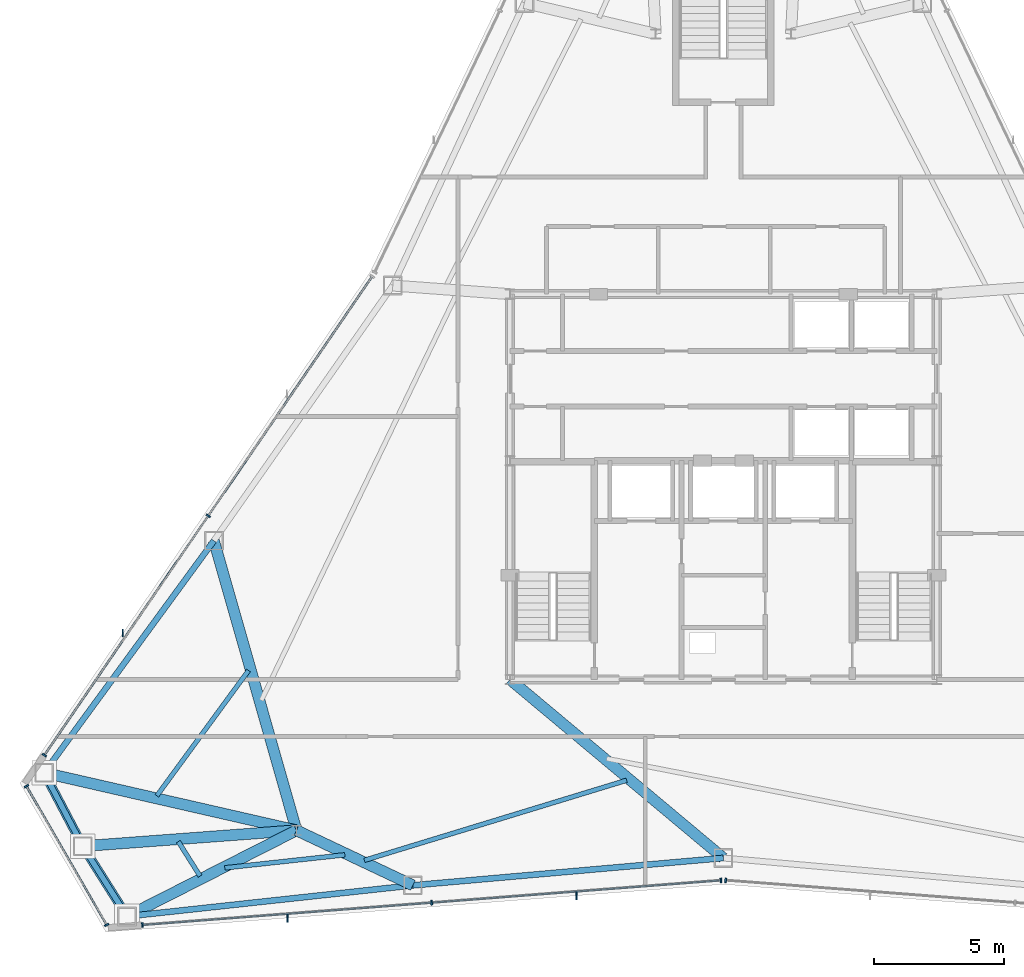
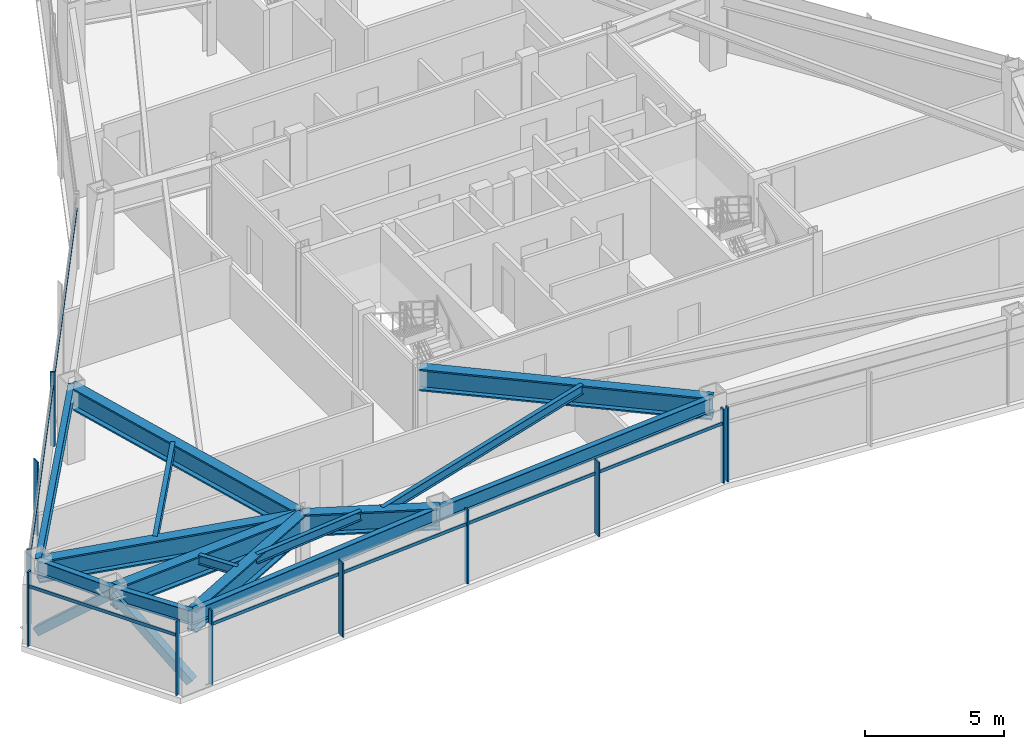
# One storey, part 3 of 12: 16 members, 15 beams, 4 elements without a shape of their own.
"""IFC4 building model written with IfcOpenShell, lengths in metres."""

from ifc_helpers import new_model, si_unit, direction, frame, origin, origin_2d, place, context, subcontext, project, spatial, rectangle, hollow_rectangle, i_section, extrude, source, transform, mapped, material, layer, layer_set, material_profile, profile_set, type_object, type_shapes, element, aggregate, save


model = new_model("IFC4")

# Units and contexts
model_context = context("Model", 3, precision=1e-05, world=origin(), true_north=direction((0.0, 1.0)))
body_context = subcontext(model_context, "Body", "Model", "MODEL_VIEW")
ifc_project = project(units=[si_unit("LENGTHUNIT", "METRE"), si_unit("AREAUNIT", "SQUARE_METRE"), si_unit("VOLUMEUNIT", "CUBIC_METRE"), si_unit("PLANEANGLEUNIT", "RADIAN"), si_unit("MASSUNIT", "GRAM", prefix="KILO")], contexts=[model_context])

# Site, building, storey
site_placement = place(None, origin())
site = spatial("IfcSite", under=ifc_project, at=site_placement, CompositionType="ELEMENT")
building_placement = place(site_placement, origin())
building = spatial("IfcBuilding", under=site, at=building_placement, Name="Varakhsha Concourse Tower", CompositionType="ELEMENT")
storey_placement = place(building_placement, frame((0.0, 0.0, 218.89990234375)))
storey = spatial("IfcBuildingStorey", under=building, at=storey_placement, Name="L62", CompositionType="ELEMENT", Elevation=218.89990234375)

# Beams
ifc_material_1 = material(Name="Structural Steel ASTM A992 Grade 50", Category="steel")
ifc_material_profile_1 = material_profile(ifc_material_1, i_section(OverallWidth=0.177978515625, OverallDepth=0.406982421875, WebThickness=0.008056640625, FlangeThickness=0.012939453125, at=origin_2d()), Name="W16X40")
ifc_profile_set_1 = profile_set([ifc_material_profile_1], Name="Structural Steel ASTM A992 Grade 50")
beam_type_1 = type_object("IfcBeamType", Name="BM-JST-W16X40", PredefinedType="JOIST", material=ifc_profile_set_1)
beam_1_placement = place(storey_placement, frame((21.75830078125, 16.74169921875, 3.046630859375), z_axis=(-0.590573714618, -0.806983697234, 0.0), x_axis=(0.806983697234, -0.590573714618, 0.0)))
element("IfcBeam", 1, at=beam_1_placement, inside=storey, type_object=beam_type_1, Name="BM-TJST-L62-06", PredefinedType="JOIST", context=body_context, shape_type="SweptSolid", body=[
    extrude(i_section(OverallWidth=0.177978515625, OverallDepth=0.406982421875, WebThickness=0.008056640625, FlangeThickness=0.012939453125, at=origin_2d()), origin(), (0.0, 0.0, 1.0), 5.96435546875),
])
beam_2_placement = place(storey_placement, frame((19.060791015625, 10.166015625, 3.046630859375), z_axis=(0.53380527951, -0.845607428756, 0.0), x_axis=(0.845607428756, 0.53380527951, 0.0)))
element("IfcBeam", 2, at=beam_2_placement, inside=storey, type_object=beam_type_1, Name="BM-TJST-L62-08", PredefinedType="JOIST", context=body_context, shape_type="SweptSolid", body=[
    extrude(i_section(OverallWidth=0.177978515625, OverallDepth=0.406982421875, WebThickness=0.008056640625, FlangeThickness=0.012939453125, at=origin_2d()), origin(), (0.0, 0.0, 1.0), 1.56591796875),
])
beam_3_placement = place(storey_placement, frame((20.845703125, 9.1572265625, 3.046630859375), z_axis=(0.994152816848, 0.107982298336, 0.0), x_axis=(-0.107982298336, 0.994152816848, 0.0)))
element("IfcBeam", 3, at=beam_3_placement, inside=storey, type_object=beam_type_1, Name="BM-TJST-L62-09", PredefinedType="JOIST", context=body_context, shape_type="SweptSolid", body=[
    extrude(i_section(OverallWidth=0.177978515625, OverallDepth=0.406982421875, WebThickness=0.008056640625, FlangeThickness=0.012939453125, at=origin_2d()), origin(), (0.0, 0.0, 1.0), 4.639404296875),
])
beam_4_placement = place(storey_placement, frame((26.208984375, 9.448486328125, 3.046630859375), z_axis=(0.956442357889, 0.291921249716, 0.0), x_axis=(-0.291921249716, 0.956442357889, 0.0)))
element("IfcBeam", 4, at=beam_4_placement, inside=storey, type_object=beam_type_1, Name="BM-TJST-L62-10", PredefinedType="JOIST", context=body_context, shape_type="SweptSolid", body=[
    extrude(i_section(OverallWidth=0.177978515625, OverallDepth=0.406982421875, WebThickness=0.008056640625, FlangeThickness=0.012939453125, at=origin_2d()), origin(), (0.0, 0.0, 1.0), 10.536865234375),
])
ifc_material_profile_2 = material_profile(ifc_material_1, i_section(OverallWidth=0.423095703125, OverallDepth=0.947998046875, WebThickness=0.0380859375, FlangeThickness=0.06396484375, at=origin_2d()), Name="W36X302")
ifc_profile_set_2 = profile_set([ifc_material_profile_2], Name="Structural Steel ASTM A992 Grade 50")
beam_type_2 = type_object("IfcBeamType", Name="BM-OUTR-W36X302", PredefinedType="USERDEFINED", material=ifc_profile_set_2)
beam_5_placement = place(storey_placement, frame((23.60009765625, 10.60009765625, 2.776123046875), z_axis=(-0.274261234585, 0.961655226785, 0.0), x_axis=(-0.961655226785, -0.274261234585, 0.0)))
element("IfcBeam", 5, at=beam_5_placement, inside=storey, type_object=beam_type_2, Name="L62 Radial Floor Girder 06", ObjectType="GIRDER", PredefinedType="USERDEFINED", context=body_context, shape_type="SweptSolid", body=[
    extrude(i_section(OverallWidth=0.423095703125, OverallDepth=0.947998046875, WebThickness=0.0380859375, FlangeThickness=0.06396484375, at=origin_2d()), origin(), (0.0, 0.0, 1.0), 11.569580078125),
])
beam_6_placement = place(storey_placement, frame((23.60009765625, 10.60009765625, 2.776123046875), z_axis=(-0.974910741662, 0.222596149547, 0.0), x_axis=(-0.222596149547, -0.974910741662, 0.0)))
element("IfcBeam", 6, at=beam_6_placement, inside=storey, type_object=beam_type_2, Name="L62 Radial Floor Girder 07", ObjectType="GIRDER", PredefinedType="USERDEFINED", context=body_context, shape_type="SweptSolid", body=[
    extrude(i_section(OverallWidth=0.423095703125, OverallDepth=0.947998046875, WebThickness=0.0380859375, FlangeThickness=0.06396484375, at=origin_2d()), origin(), (0.0, 0.0, 1.0), 9.944580078125),
])
beam_7_placement = place(storey_placement, frame((23.60009765625, 10.60009765625, 2.776123046875), z_axis=(-0.99726143975, -0.073956884649, 0.0), x_axis=(0.073956884649, -0.99726143975, 0.0)))
element("IfcBeam", 7, at=beam_7_placement, inside=storey, type_object=beam_type_2, Name="L62 Radial Floor Girder 08", ObjectType="GIRDER", PredefinedType="USERDEFINED", context=body_context, shape_type="SweptSolid", body=[
    extrude(i_section(OverallWidth=0.423095703125, OverallDepth=0.947998046875, WebThickness=0.0380859375, FlangeThickness=0.06396484375, at=origin_2d()), origin(), (0.0, 0.0, 1.0), 8.23291015625),
])
beam_8_placement = place(storey_placement, frame((23.60009765625, 10.60009765625, 2.776123046875), z_axis=(-0.891573080646, -0.452876850665, 0.0), x_axis=(0.452876850665, -0.891573080646, 0.0)))
element("IfcBeam", 8, at=beam_8_placement, inside=storey, type_object=beam_type_2, Name="L62 Radial Floor Girder 09", ObjectType="GIRDER", PredefinedType="USERDEFINED", context=body_context, shape_type="SweptSolid", body=[
    extrude(i_section(OverallWidth=0.423095703125, OverallDepth=0.947998046875, WebThickness=0.0380859375, FlangeThickness=0.06396484375, at=origin_2d()), origin(), (0.0, 0.0, 1.0), 7.2998046875),
])
beam_9_placement = place(storey_placement, frame((23.60009765625, 10.60009765625, 2.776123046875), z_axis=(0.904054231678, -0.427417765406, 0.0), x_axis=(0.427417765406, 0.904054231678, 0.0)))
element("IfcBeam", 9, at=beam_9_placement, inside=storey, type_object=beam_type_2, Name="L62 Radial Floor Girder 10", ObjectType="GIRDER", PredefinedType="USERDEFINED", context=body_context, shape_type="SweptSolid", body=[
    extrude(i_section(OverallWidth=0.423095703125, OverallDepth=0.947998046875, WebThickness=0.0380859375, FlangeThickness=0.06396484375, at=origin_2d()), origin(), (0.0, 0.0, 1.0), 4.945556640625),
])
beam_10_placement = place(storey_placement, frame((31.800048828125, 16.39990234375, 2.776123046875), z_axis=(0.766840251923, -0.641838007624, 0.0), x_axis=(0.641838007624, 0.766840251923, 0.0)))
element("IfcBeam", 10, at=beam_10_placement, inside=storey, type_object=beam_type_2, Name="L62 Radial Floor Girder 11", ObjectType="GIRDER", PredefinedType="USERDEFINED", context=body_context, shape_type="SweptSolid", body=[
    extrude(i_section(OverallWidth=0.423095703125, OverallDepth=0.947998046875, WebThickness=0.0380859375, FlangeThickness=0.06396484375, at=origin_2d()), origin(), (0.0, 0.0, 1.0), 10.693115234375),
])
ifc_material_profile_3 = material_profile(ifc_material_1, i_section(OverallWidth=0.22900390625, OverallDepth=0.612060546875, WebThickness=0.011962890625, FlangeThickness=0.02001953125, at=origin_2d()), Name="W24X84")
ifc_profile_set_3 = profile_set([ifc_material_profile_3], Name="Structural Steel ASTM A992 Grade 50")
beam_type_3 = type_object("IfcBeamType", Name="BM-SPAN-W24X84", PredefinedType="SPANDREL", material=ifc_profile_set_3)
beam_11_placement = place(storey_placement, frame((20.427001953125, 21.72607421875, 2.944091796875), z_axis=(-0.590553538484, -0.806998462318, 0.0), x_axis=(0.806998462318, -0.590553538484, 0.0)))
element("IfcBeam", 11, at=beam_11_placement, inside=storey, type_object=beam_type_3, Name="BM-SPAN-L62-06", PredefinedType="SPANDREL", context=body_context, shape_type="SweptSolid", body=[
    extrude(i_section(OverallWidth=0.22900390625, OverallDepth=0.612060546875, WebThickness=0.011962890625, FlangeThickness=0.02001953125, at=origin_2d()), origin(), (0.0, 0.0, 1.0), 11.0439453125),
])
for number, where, z_axis, x_axis, name in (
    (12, (13.905029296875, 12.813720703125, 2.944091796875), (0.465522403163, -0.885036096525, 0.0), (0.885036096525, 0.465522403163, 0.0), "BM-SPAN-L62-07"),
    (13, (15.3896484375, 9.9912109375, 2.944091796875), (0.533716468217, -0.845663486, 0.0), (0.845663486, 0.533716468217, 0.0), "BM-SPAN-L62-08"),
):
    element("IfcBeam", number, at=place(storey_placement, frame(where, z_axis=z_axis, x_axis=x_axis)), inside=storey, type_object=beam_type_3, Name=name, PredefinedType="SPANDREL", context=body_context, shape_type="SweptSolid", body=[
        extrude(i_section(OverallWidth=0.22900390625, OverallDepth=0.612060546875, WebThickness=0.011962890625, FlangeThickness=0.02001953125, at=origin_2d()), origin(), (0.0, 0.0, 1.0), 3.189208984375),
    ])
beam_12_placement = place(storey_placement, frame((17.091796875, 7.294189453125, 2.944091796875), z_axis=(0.99415669226, 0.107946612891, 0.0), x_axis=(-0.107946612891, 0.99415669226, 0.0)))
element("IfcBeam", 14, at=beam_12_placement, inside=storey, type_object=beam_type_3, Name="BM-SPAN-L62-09", PredefinedType="SPANDREL", context=body_context, shape_type="SweptSolid", body=[
    extrude(i_section(OverallWidth=0.22900390625, OverallDepth=0.612060546875, WebThickness=0.011962890625, FlangeThickness=0.02001953125, at=origin_2d()), origin(), (0.0, 0.0, 1.0), 11.043701171875),
])
beam_13_placement = place(storey_placement, frame((28.071044921875, 8.486328125, 2.944091796875), z_axis=(0.996146369773, 0.087706385108, 0.0), x_axis=(-0.087706385108, 0.996146369773, 0.0)))
element("IfcBeam", 15, at=beam_13_placement, inside=storey, type_object=beam_type_3, Name="BM-SPAN-L62-10", PredefinedType="SPANDREL", context=body_context, shape_type="SweptSolid", body=[
    extrude(i_section(OverallWidth=0.22900390625, OverallDepth=0.612060546875, WebThickness=0.011962890625, FlangeThickness=0.02001953125, at=origin_2d()), origin(), (0.0, 0.0, 1.0), 11.97509765625),
])

# Members
ifc_material_2 = material(Name="Structural Steel ASTM A500 Grade C", Category="steel")
ifc_material_profile_4 = material_profile(ifc_material_2, hollow_rectangle(XDim=0.35009765625, YDim=0.35009765625, WallThickness=0.01611328125, at=origin_2d()), Name="HSS 350x350x16")
ifc_profile_set_4 = profile_set([ifc_material_profile_4], Name="Structural Steel ASTM A500 Grade C")
member_type_1 = type_object("IfcMemberType", Name="MB-TUBE-HSS350", PredefinedType="BRACE", material=ifc_profile_set_4)
shared_shape_1 = source(origin(), body_context, "Body", "SweptSolid", [
    extrude(hollow_rectangle(XDim=0.35009765625, YDim=0.35009765625, WallThickness=0.01611328125, at=origin_2d()), origin(), (0.0, 0.0, 1.0), 4.263916015625),
])
type_shapes(member_type_1, [shared_shape_1])
for number, where, z_axis, x_axis, name in (
    (16, (13.905029296875, 12.813720703125, 0.1201171875), (0.348191484068, -0.661970358052, 0.663745384529), (0.885036096525, 0.465522403163, 0.0), "L62 Wind-Corner Tube Brace B03"),
    (17, (17.091796875, 7.294189453125, 0.1201171875), (-0.399202825625, 0.632529204631, 0.66373481851), (-0.845663486, -0.533716468217, 0.0), "L62 Wind-Corner Tube Brace B04"),
):
    element("IfcMember", number, at=place(storey_placement, frame(where, z_axis=z_axis, x_axis=x_axis)), inside=storey, type_object=member_type_1, Name=name, PredefinedType="BRACE", context=body_context, shape_type="MappedRepresentation", body=[
        mapped(shared_shape_1, transform((0.0, 0.0, 0.0), scale=1.0)),
    ])

# Curtain wall, members
ifc_material_3 = material(Name="Anodised Bronze Architectural Aluminium AA 6063-T6", Category="aluminium")
ifc_layer = layer(ifc_material_3, 0.199951171875, Name="CW-SYS-05")
ifc_layer_set = layer_set([ifc_layer], Name="Anodised Bronze Architectural Aluminium AA 6063-T6")
curtain_wall_type = type_object("IfcCurtainWallType", Name="CW-SYS-05", PredefinedType="NOTDEFINED", material=ifc_layer_set)
curtain_wall_1_placement = place(storey_placement, origin())
curtain_wall_1 = element("IfcCurtainWall", 18, at=curtain_wall_1_placement, inside=storey, type_object=curtain_wall_type, Name="L62 Crystal Curtain Wall F3", PredefinedType="NOTDEFINED")
ifc_material_profile_5 = material_profile(ifc_material_3, rectangle(XDim=0.06494140625, YDim=0.179931640625, at=origin_2d()), Name="CWM-180X65")
ifc_profile_set_5 = profile_set([ifc_material_profile_5], Name="Anodised Bronze Architectural Aluminium AA 6063-T6")
member_type_2 = type_object("IfcMemberType", Name="CWM-180X65", PredefinedType="MULLION", material=ifc_profile_set_5)
shared_shape_2 = source(origin(), body_context, "Body", "SweptSolid", [
    extrude(rectangle(XDim=0.06494140625, YDim=0.179931640625, at=origin_2d()), origin(), (0.0, 0.0, 1.0), 3.25),
])
type_shapes(member_type_2, [shared_shape_2])
member_1_placement = place(storey_placement, frame((13.912109375, 13.490234375, 0.0), z_axis=(0.0, 0.0, 1.0), x_axis=(0.565172919372, 0.82497246694, 0.0)))
member_1 = element("IfcMember", 19, at=member_1_placement, type_object=member_type_2, Name="CW-L62-F3 Mullion 00", PredefinedType="MULLION", context=body_context, shape_type="MappedRepresentation", body=[
    mapped(shared_shape_2, transform((0.0, 0.0, 0.0), scale=1.0)),
])
member_2_placement = place(storey_placement, frame((20.2119140625, 22.685791015625, 0.0), z_axis=(0.0, 0.0, 1.0), x_axis=(0.565172919372, 0.82497246694, 0.0)))
member_2 = element("IfcMember", 20, at=member_2_placement, type_object=member_type_2, Name="CW-L62-F3 Mullion 01", PredefinedType="MULLION", context=body_context, shape_type="MappedRepresentation", body=[
    mapped(shared_shape_2, transform((0.0, 0.0, 0.0), scale=1.0)),
])

curtain_wall_2_placement = place(storey_placement, origin())
curtain_wall_2 = element("IfcCurtainWall", 21, at=curtain_wall_2_placement, inside=storey, type_object=curtain_wall_type, Name="L62 Chamfer Curtain Wall F4", PredefinedType="NOTDEFINED")
member_3_placement = place(storey_placement, frame((16.30615234375, 6.9638671875, 0.0), z_axis=(0.0, 0.0, 1.0), x_axis=(-0.49999395399, 0.866028894422, 0.0)))
member_3 = element("IfcMember", 22, at=member_3_placement, type_object=member_type_2, Name="CW-L62-F4 Mullion 00", PredefinedType="MULLION", context=body_context, shape_type="MappedRepresentation", body=[
    mapped(shared_shape_2, transform((0.0, 0.0, 0.0), scale=1.0)),
])
member_4_placement = place(storey_placement, frame((13.226318359375, 12.298583984375, 0.0), z_axis=(0.0, 0.0, 1.0), x_axis=(-0.49999395399, 0.866028894422, 0.0)))
member_4 = element("IfcMember", 23, at=member_4_placement, type_object=member_type_2, Name="CW-L62-F4 Mullion 01", PredefinedType="MULLION", context=body_context, shape_type="MappedRepresentation", body=[
    mapped(shared_shape_2, transform((0.0, 0.0, 0.0), scale=1.0)),
])

curtain_wall_3_placement = place(storey_placement, origin())
curtain_wall_3 = element("IfcCurtainWall", 24, at=curtain_wall_3_placement, inside=storey, type_object=curtain_wall_type, Name="L62 Crystal Curtain Wall F5", PredefinedType="NOTDEFINED")
member_5_placement = place(storey_placement, frame((39.907958984375, 8.677978515625, 0.0), z_axis=(0.0, 0.0, 1.0), x_axis=(-0.997034110791, -0.076960911628, 0.0)))
member_5 = element("IfcMember", 25, at=member_5_placement, type_object=member_type_2, Name="CW-L62-F5 Mullion 00", PredefinedType="MULLION", context=body_context, shape_type="MappedRepresentation", body=[
    mapped(shared_shape_2, transform((0.0, 0.0, 0.0), scale=1.0)),
])
member_6_placement = place(storey_placement, frame((28.79443359375, 7.820068359375, 0.0), z_axis=(0.0, 0.0, 1.0), x_axis=(-0.997034110791, -0.076960911628, 0.0)))
member_6 = element("IfcMember", 26, at=member_6_placement, type_object=member_type_2, Name="CW-L62-F5 Mullion 01", PredefinedType="MULLION", context=body_context, shape_type="MappedRepresentation", body=[
    mapped(shared_shape_2, transform((0.0, 0.0, 0.0), scale=1.0)),
])
member_7_placement = place(storey_placement, frame((17.680908203125, 6.962158203125, 0.0), z_axis=(0.0, 0.0, 1.0), x_axis=(-0.997034110791, -0.076960911628, 0.0)))
member_7 = element("IfcMember", 27, at=member_7_placement, type_object=member_type_2, Name="CW-L62-F5 Mullion 02", PredefinedType="MULLION", context=body_context, shape_type="MappedRepresentation", body=[
    mapped(shared_shape_2, transform((0.0, 0.0, 0.0), scale=1.0)),
])

# Curtain wall, member
curtain_wall_4_placement = place(storey_placement, origin())
curtain_wall_4 = element("IfcCurtainWall", 28, at=curtain_wall_4_placement, inside=storey, type_object=curtain_wall_type, Name="L62 Crystal Curtain Wall F6", PredefinedType="NOTDEFINED")
member_8_placement = place(storey_placement, frame((40.092041015625, 8.677978515625, 0.0), z_axis=(0.0, 0.0, 1.0), x_axis=(-0.997034110791, 0.076960911628, 0.0)))
member_8 = element("IfcMember", 29, at=member_8_placement, type_object=member_type_2, Name="CW-L62-F6 Mullion 02", PredefinedType="MULLION", context=body_context, shape_type="MappedRepresentation", body=[
    mapped(shared_shape_2, transform((0.0, 0.0, 0.0), scale=1.0)),
])
aggregate(curtain_wall_4, [member_8])

# Member
ifc_material_profile_6 = material_profile(ifc_material_3, rectangle(XDim=0.054931640625, YDim=0.300048828125, at=origin_2d()), Name="FIN-BRZ-300")
ifc_profile_set_6 = profile_set([ifc_material_profile_6], Name="Anodised Bronze Architectural Aluminium AA 6063-T6")
member_type_3 = type_object("IfcMemberType", Name="FIN-BRZ-300", PredefinedType="USERDEFINED", material=ifc_profile_set_6)
shared_shape_3 = source(origin(), body_context, "Body", "SweptSolid", [
    extrude(rectangle(XDim=0.054931640625, YDim=0.300048828125, at=origin_2d()), origin(), (0.0, 0.0, 1.0), 3.25),
])
type_shapes(member_type_3, [shared_shape_3])
member_9_placement = place(storey_placement, frame((16.92578125, 18.18115234375, 0.0), z_axis=(0.0, 0.0, 1.0), x_axis=(1.0, 0.0, 0.0)))
member_9 = element("IfcMember", 30, at=member_9_placement, type_object=member_type_3, Name="L62 Anodised Bronze Solar Fin F3-1", ObjectType="SOLAR FIN", PredefinedType="USERDEFINED", context=body_context, shape_type="MappedRepresentation", body=[
    mapped(shared_shape_3, transform((0.0, 0.0, 0.0), scale=1.0)),
])

member_10_placement = place(storey_placement, frame((34.364013671875, 8.08447265625, 0.0), z_axis=(0.0, 0.0, 1.0), x_axis=(1.0, 0.0, 0.0)))
member_10 = element("IfcMember", 31, at=member_10_placement, type_object=member_type_3, Name="L62 Anodised Bronze Solar Fin F5-1", ObjectType="SOLAR FIN", PredefinedType="USERDEFINED", context=body_context, shape_type="MappedRepresentation", body=[
    mapped(shared_shape_3, transform((0.0, 0.0, 0.0), scale=1.0)),
])

member_11_placement = place(storey_placement, frame((23.25048828125, 7.2265625, 0.0), z_axis=(0.0, 0.0, 1.0), x_axis=(1.0, 0.0, 0.0)))
member_11 = element("IfcMember", 32, at=member_11_placement, type_object=member_type_3, Name="L62 Anodised Bronze Solar Fin F5-2", ObjectType="SOLAR FIN", PredefinedType="USERDEFINED", context=body_context, shape_type="MappedRepresentation", body=[
    mapped(shared_shape_3, transform((0.0, 0.0, 0.0), scale=1.0)),
])

ifc_material_profile_7 = material_profile(ifc_material_3, rectangle(XDim=0.06005859375, YDim=0.139892578125, at=origin_2d()), Name="CWT-140X60")
ifc_profile_set_7 = profile_set([ifc_material_profile_7], Name="Anodised Bronze Architectural Aluminium AA 6063-T6")
member_type_4 = type_object("IfcMemberType", Name="CWT-140X60", PredefinedType="USERDEFINED", material=ifc_profile_set_7)
shared_shape_4 = source(origin(), body_context, "Body", "SweptSolid", [
    extrude(rectangle(XDim=0.06005859375, YDim=0.139892578125, at=origin_2d()), origin(), (0.0, 0.0, 1.0), 22.29296875),
])
member_12_placement = place(storey_placement, frame((13.912109375, 13.490234375, 2.60009765625), z_axis=(0.565171817913, 0.824973221527, 0.0), x_axis=(-0.824973221527, 0.565171817913, 0.0)))
member_12 = element("IfcMember", 33, at=member_12_placement, type_object=member_type_4, Name="CW-L62-F3 Transom 01", ObjectType="TRANSOM", PredefinedType="USERDEFINED", context=body_context, shape_type="MappedRepresentation", body=[
    mapped(shared_shape_4, transform((0.0, 0.0, 0.0), scale=1.0)),
])

aggregate(curtain_wall_1, [member_1, member_2, member_12, member_9])

shared_shape_5 = source(origin(), body_context, "Body", "SweptSolid", [
    extrude(rectangle(XDim=0.06005859375, YDim=0.139892578125, at=origin_2d()), origin(), (0.0, 0.0, 1.0), 22.293212890625),
])
member_13_placement = place(storey_placement, frame((39.907958984375, 8.677978515625, 2.60009765625), z_axis=(-0.997033705872, -0.076966157212, 0.0), x_axis=(0.076966157212, -0.997033705872, 0.0)))
member_13 = element("IfcMember", 34, at=member_13_placement, type_object=member_type_4, Name="CW-L62-F5 Transom 01", ObjectType="TRANSOM", PredefinedType="USERDEFINED", context=body_context, shape_type="MappedRepresentation", body=[
    mapped(shared_shape_5, transform((0.0, 0.0, 0.0), scale=1.0)),
])

aggregate(curtain_wall_3, [member_5, member_6, member_7, member_13, member_10, member_11])

shared_shape_6 = source(origin(), body_context, "Body", "SweptSolid", [
    extrude(rectangle(XDim=0.06005859375, YDim=0.139892578125, at=origin_2d()), origin(), (0.0, 0.0, 1.0), 6.159912109375),
])
type_shapes(member_type_4, [shared_shape_4, shared_shape_5, shared_shape_6])
member_14_placement = place(storey_placement, frame((16.30615234375, 6.9638671875, 2.60009765625), z_axis=(-0.49997976489, 0.866037086216, 0.0), x_axis=(-0.866037086216, -0.49997976489, 0.0)))
member_14 = element("IfcMember", 35, at=member_14_placement, type_object=member_type_4, Name="CW-L62-F4 Transom 01", ObjectType="TRANSOM", PredefinedType="USERDEFINED", context=body_context, shape_type="MappedRepresentation", body=[
    mapped(shared_shape_6, transform((0.0, 0.0, 0.0), scale=1.0)),
])

aggregate(curtain_wall_2, [member_3, member_4, member_14])

save(model, "model.ifc")
